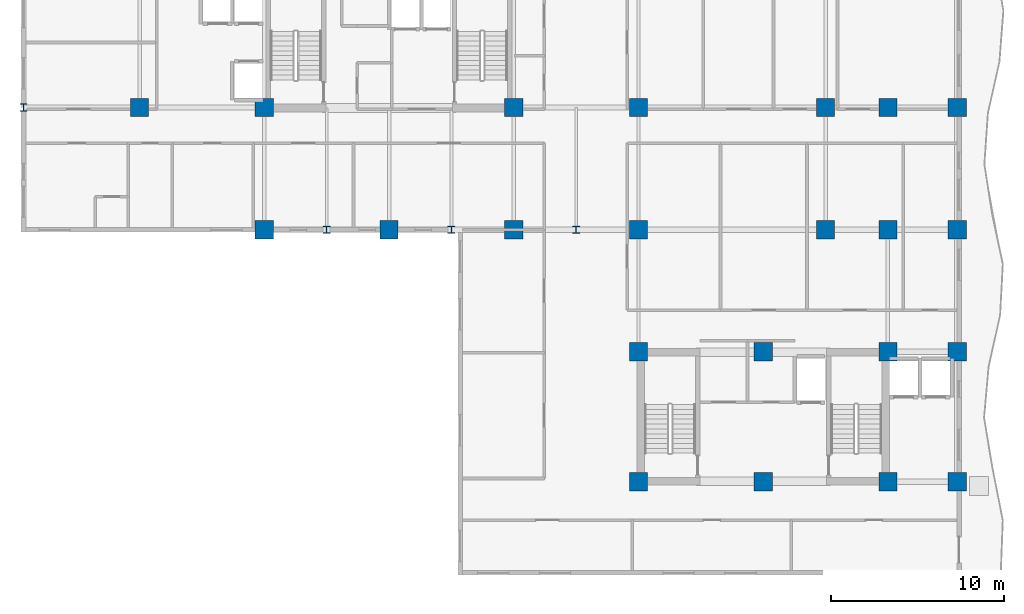
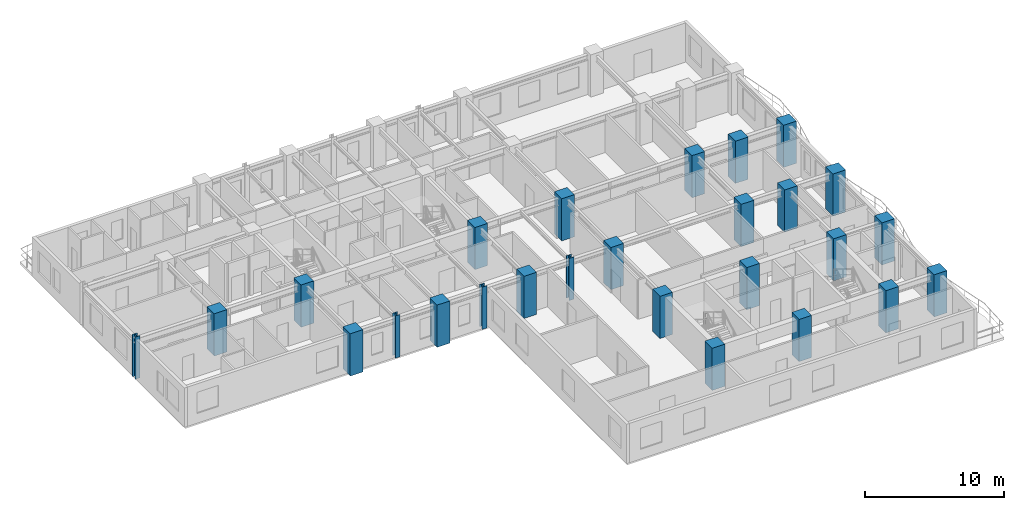
# One storey, part 1 of 13: 26 columns.
"""IFC4 building model written with IfcOpenShell, lengths in metres."""

from ifc_helpers import new_model, si_unit, direction, frame, origin, origin_2d, place, context, subcontext, project, spatial, rectangle, i_section, extrude, source, transform, mapped, material, material_profile, profile_set, type_object, element, save


model = new_model("IFC4")

# Units and contexts
model_context = context("Model", 3, precision=1e-05, world=origin(), true_north=direction((0.0, 1.0)))
body_context = subcontext(model_context, "Body", "Model", "MODEL_VIEW")
ifc_project = project(units=[si_unit("LENGTHUNIT", "METRE"), si_unit("AREAUNIT", "SQUARE_METRE"), si_unit("VOLUMEUNIT", "CUBIC_METRE"), si_unit("PLANEANGLEUNIT", "RADIAN"), si_unit("MASSUNIT", "GRAM", prefix="KILO")], contexts=[model_context])

# Site, building, storey
site_placement = place(None, origin())
site = spatial("IfcSite", under=ifc_project, at=site_placement, CompositionType="ELEMENT")
building_placement = place(site_placement, origin())
building = spatial("IfcBuilding", under=site, at=building_placement, Name="Kaliganga Portal Commons", CompositionType="ELEMENT")
storey_placement = place(building_placement, frame((0.0, 0.0, 162.39990234375)))
storey = spatial("IfcBuildingStorey", under=building, at=storey_placement, Name="L41", CompositionType="ELEMENT", Elevation=162.39990234375)

# Columns
ifc_material_1 = material(Name="Concrete C60/75", Category="concrete")
ifc_material_profile_1 = material_profile(ifc_material_1, rectangle(XDim=1.050048828125, YDim=1.050048828125, at=origin_2d()), Name="RC 1050x1050")
ifc_profile_set_1 = profile_set([ifc_material_profile_1], Name="Concrete C60/75")
column_type_1 = type_object("IfcColumnType", Name="COL-MEGA-Z3", PredefinedType="COLUMN", material=ifc_profile_set_1)
shared_shape_1 = source(origin(), body_context, "Body", "SweptSolid", [
    extrude(rectangle(XDim=1.050048828125, YDim=1.050048828125, at=origin_2d()), origin(), (0.0, 0.0, 1.0), 3.7001953125),
])
for number, where, z_axis, x_axis, name in (
    (1, (7.199951171875, 28.64990234375, 0.0), (0.0, 0.0, 1.0), (1.0, 0.0, 0.0), "Column MC-04 L41"),
    (2, (14.39990234375, 21.60009765625, 0.0), (0.0, 0.0, 1.0), (1.0, 0.0, 0.0), "Column MC-04 L41"),
    (3, (14.39990234375, 28.64990234375, 0.0), (0.0, 0.0, 1.0), (1.0, 0.0, 0.0), "Column MC-04 L41"),
    (4, (21.60009765625, 21.60009765625, 0.0), (0.0, 0.0, 1.0), (1.0, 0.0, 0.0), "Column MC-04 L41"),
    (5, (28.800048828125, 21.60009765625, 0.0), (0.0, 0.0, 1.0), (1.0, 0.0, 0.0), "Column MC-04 L41"),
    (6, (28.800048828125, 28.64990234375, 0.0), (0.0, 0.0, 1.0), (1.0, 0.0, 0.0), "Column MC-04 L41"),
    (7, (36.0, 21.60009765625, 0.0), (0.0, 0.0, 1.0), (1.0, 0.0, 0.0), "Column MC-04 L41"),
    (8, (36.0, 28.64990234375, 0.0), (0.0, 0.0, 1.0), (1.0, 0.0, 0.0), "Column MC-04 L41"),
    (9, (46.800048828125, 21.60009765625, 0.0), (0.0, 0.0, 1.0), (1.0, 0.0, 0.0), "Column MC-04 L41"),
    (10, (46.800048828125, 28.64990234375, 0.0), (0.0, 0.0, 1.0), (1.0, 0.0, 0.0), "Column MC-04 L41"),
    (11, (36.0, 7.050048828125, 0.0), (0.0, 0.0, 1.0), (1.0, 0.0, 0.0), "Column MC-04 L41"),
    (12, (36.0, 14.550048828125, 0.0), (0.0, 0.0, 1.0), (1.0, 0.0, 0.0), "Column MC-04 L41"),
    (13, (43.199951171875, 7.050048828125, 0.0), (0.0, 0.0, 1.0), (1.0, 0.0, 0.0), "Column MC-04 L41"),
    (14, (43.199951171875, 14.550048828125, 0.0), (0.0, 0.0, 1.0), (1.0, 0.0, 0.0), "Column MC-04 L41"),
    (15, (50.39990234375, 7.050048828125, 0.0), (0.0, 0.0, 1.0), (1.0, 0.0, 0.0), "Column MC-04 L41"),
    (16, (50.39990234375, 14.550048828125, 0.0), (0.0, 0.0, 1.0), (1.0, 0.0, 0.0), "Column MC-04 L41"),
    (17, (50.39990234375, 21.60009765625, 0.0), (0.0, 0.0, 1.0), (1.0, 0.0, 0.0), "Column MC-04 L41"),
    (18, (50.39990234375, 28.64990234375, 0.0), (0.0, 0.0, 1.0), (1.0, 0.0, 0.0), "Column MC-04 L41"),
    (19, (54.39990234375, 7.050048828125, 0.0), (0.0, 0.0, 1.0), (1.0, 0.0, 0.0), "Column MC-04 L41"),
    (20, (54.39990234375, 14.550048828125, 0.0), (0.0, 0.0, 1.0), (1.0, 0.0, 0.0), "Column MC-04 L41"),
    (21, (54.39990234375, 21.60009765625, 0.0), (0.0, 0.0, 1.0), (1.0, 0.0, 0.0), "Column MC-04 L41"),
    (22, (54.39990234375, 28.64990234375, 0.0), (0.0, 0.0, 1.0), (1.0, 0.0, 0.0), "Column MC-04 L41"),
):
    element("IfcColumn", number, at=place(storey_placement, frame(where, z_axis=z_axis, x_axis=x_axis)), inside=storey, type_object=column_type_1, Name=name, PredefinedType="COLUMN", context=body_context, shape_type="MappedRepresentation", body=[
        mapped(shared_shape_1, transform((0.0, 0.0, 0.0), x_axis=(1.0, 0.0, 0.0), y_axis=(0.0, 1.0, 0.0), z_axis=(0.0, 0.0, 1.0), scale=1.0)),
    ])
ifc_material_2 = material(Name="Structural steel S460M", Category="steel")
ifc_material_profile_2 = material_profile(ifc_material_2, i_section(OverallWidth=0.404052734375, OverallDepth=0.4140625, WebThickness=0.0205078125, FlangeThickness=0.028076171875, FilletRadius=0.014892578125, at=origin_2d()), Name="HD 400x347")
ifc_profile_set_2 = profile_set([ifc_material_profile_2], Name="Structural steel S460M wide-flange")
column_type_2 = type_object("IfcColumnType", Name="COL-TUBE-B3", PredefinedType="COLUMN", material=ifc_profile_set_2)
shared_shape_2 = source(origin(), body_context, "Body", "SweptSolid", [
    extrude(i_section(OverallWidth=0.404052734375, OverallDepth=0.4140625, WebThickness=0.0205078125, FlangeThickness=0.028076171875, FilletRadius=0.014892578125, at=origin_2d()), origin(), (0.0, 0.0, 1.0), 3.7001953125),
])
for number, where, z_axis, x_axis, name in (
    (23, (0.5, 28.64990234375, 0.0), (0.0, 0.0, 1.0), (1.0, 0.0, 0.0), "Column TC-03 L41"),
    (24, (18.0, 21.60009765625, 0.0), (0.0, 0.0, 1.0), (1.0, 0.0, 0.0), "Column TC-03 L41"),
    (25, (25.199951171875, 21.60009765625, 0.0), (0.0, 0.0, 1.0), (1.0, 0.0, 0.0), "Column TC-03 L41"),
    (26, (32.39990234375, 21.60009765625, 0.0), (0.0, 0.0, 1.0), (1.0, 0.0, 0.0), "Column TC-03 L41"),
):
    element("IfcColumn", number, at=place(storey_placement, frame(where, z_axis=z_axis, x_axis=x_axis)), inside=storey, type_object=column_type_2, Name=name, PredefinedType="COLUMN", context=body_context, shape_type="MappedRepresentation", body=[
        mapped(shared_shape_2, transform((0.0, 0.0, 0.0), x_axis=(1.0, 0.0, 0.0), y_axis=(0.0, 1.0, 0.0), z_axis=(0.0, 0.0, 1.0), scale=1.0)),
    ])

save(model, "model.ifc")
